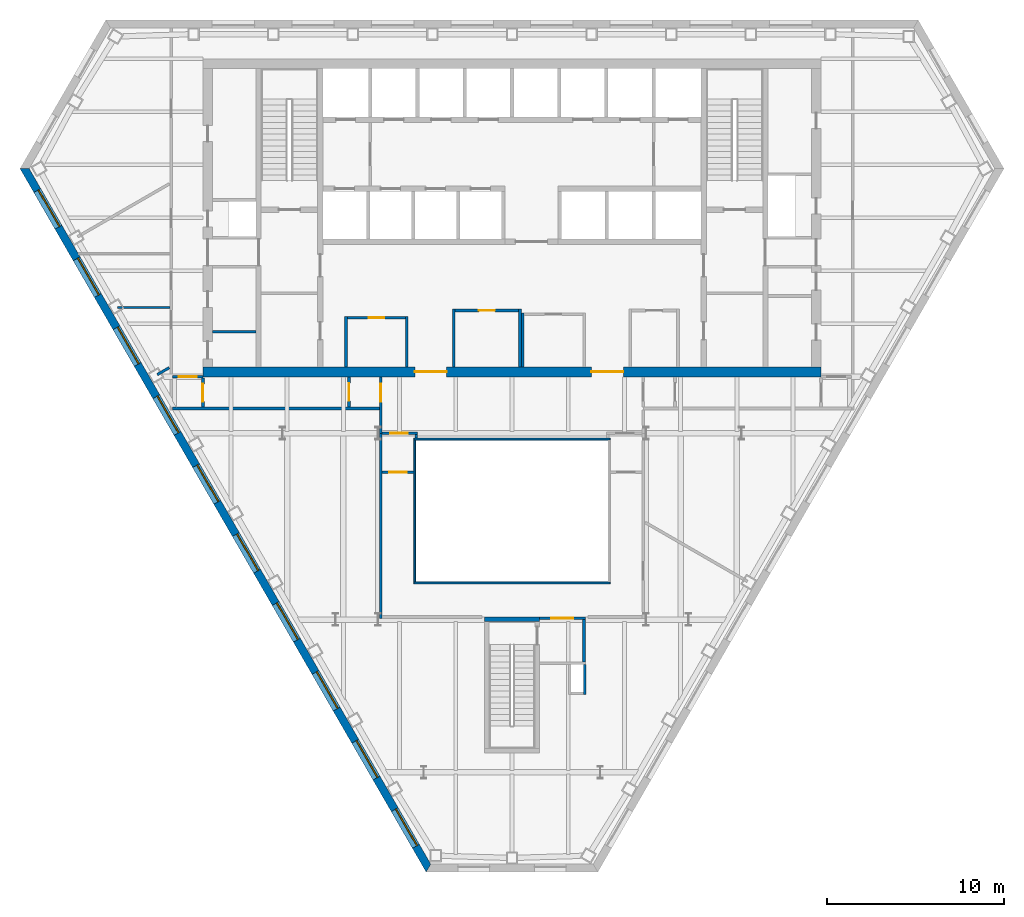
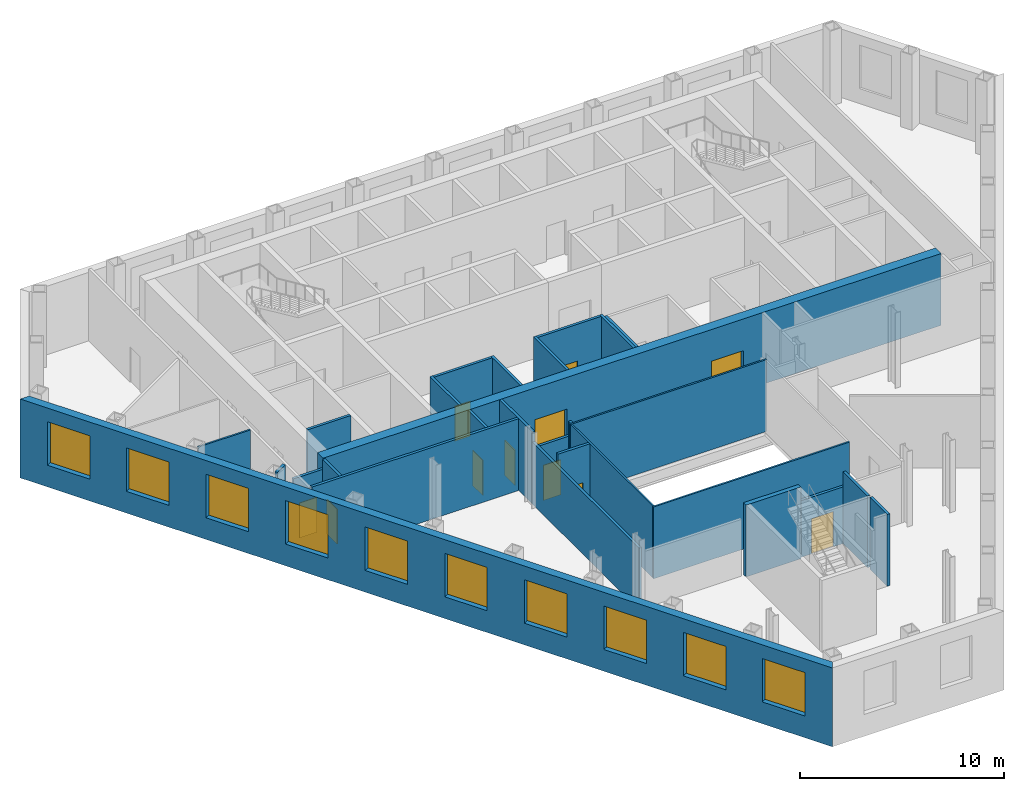
# One storey, part 4 of 11: 28 walls, 11 doors, 10 windows, 21 openings.
"""IFC4 building model written with IfcOpenShell, lengths in metres."""

from ifc_helpers import new_model, si_unit, direction, frame, frame_2d, origin, place, context, subcontext, project, spatial, polyline, rectangle, outline, extrude, material, layer, layer_set, type_object, element, fill, save


model = new_model("IFC4")

# Units and contexts
model_context = context("Model", 3, precision=1e-05, world=origin(), true_north=direction((0.0, 1.0)))
body_context = subcontext(model_context, "Body", "Model", "MODEL_VIEW")
ifc_project = project(units=[si_unit("LENGTHUNIT", "METRE"), si_unit("AREAUNIT", "SQUARE_METRE"), si_unit("VOLUMEUNIT", "CUBIC_METRE"), si_unit("PLANEANGLEUNIT", "RADIAN"), si_unit("MASSUNIT", "GRAM", prefix="KILO")], contexts=[model_context])

# Site, building, storey
site_placement = place(None, origin())
site = spatial("IfcSite", under=ifc_project, at=site_placement, CompositionType="ELEMENT")
building_placement = place(site_placement, origin())
building = spatial("IfcBuilding", under=site, at=building_placement, Name="Njiva Tower", CompositionType="ELEMENT")
storey_placement = place(building_placement, frame((0.0, 0.0, 120.3)))
storey = spatial("IfcBuildingStorey", under=building, at=storey_placement, Name="L25", CompositionType="ELEMENT", Elevation=120.3)

# Walls
ifc_material_1 = material(Name="Blockwork", Category="masonry")
ifc_layer_1 = layer(ifc_material_1, 0.15)
ifc_layer_set_1 = layer_set([ifc_layer_1], Name="Blockwork")
wall_type_1 = type_object("IfcWallType", Name="WT1 Compartment partition 150", PredefinedType="PARTITIONING", material=ifc_layer_set_1)
wall_1_placement = place(storey_placement, frame((-16.95, 2.5485, 0.0), z_axis=(0.0, 0.0, 1.0), x_axis=(1.0, 0.0, 0.0)))
element("IfcWall", 1, at=wall_1_placement, inside=storey, type_object=wall_type_1, Name="Partition strip W00", PredefinedType="PARTITIONING", context=body_context, shape_type="SweptSolid", body=[
    extrude(rectangle(XDim=2.45, YDim=0.15, at=frame_2d((1.225, 0.0))), origin(), (0.0, 0.0, 1.0), 4.3),
])
for number, where, z_axis, x_axis, name in (
    (2, (-9.4, 0.55, 0.0), (0.0, 0.0, 1.0), (0.0, 1.0, 0.0), "Parcel room wall west"),
    (3, (-5.95, 0.55, 0.0), (0.0, 0.0, 1.0), (0.0, 1.0, 0.0), "Parcel room wall east"),
):
    element("IfcWall", number, at=place(storey_placement, frame(where, z_axis=z_axis, x_axis=x_axis)), inside=storey, type_object=wall_type_1, Name=name, PredefinedType="PARTITIONING", context=body_context, shape_type="SweptSolid", body=[
        extrude(rectangle(XDim=2.875, YDim=0.15, at=frame_2d((1.4375, 0.0))), origin(), (0.0, 0.0, 1.0), 4.3),
    ])

# Wall, opening, door
wall_2_placement = place(storey_placement, frame((-9.325, 3.35, 0.0), z_axis=(0.0, 0.0, 1.0), x_axis=(1.0, 0.0, 0.0)))
wall_2 = element("IfcWall", 4, at=wall_2_placement, inside=storey, type_object=wall_type_1, Name="Parcel room wall north", PredefinedType="PARTITIONING", context=body_context, shape_type="SweptSolid", body=[
    extrude(rectangle(XDim=3.3, YDim=0.15, at=frame_2d((1.65, 0.0))), origin(), (0.0, 0.0, 1.0), 4.3),
])
opening_1_placement = place(wall_2_placement, frame((1.2, 0.0, 0.0)))
opening_1 = element("IfcOpeningElement", 5, at=opening_1_placement, cuts=wall_2, Name="Opening S08-D932", PredefinedType="OPENING", context=body_context, shape_type="SweptSolid", body=[
    extrude(rectangle(XDim=0.9, YDim=2.1, at=frame_2d((0.45, 1.05))), frame((0.0, 0.085, 0.0), z_axis=(0.0, -1.0, 0.0), x_axis=(1.0, 0.0, 0.0)), (0.0, 0.0, 1.0), 0.17),
])
ifc_material_2 = material(Name="Steel fire door, painted", Category="steel")
door_type_1 = type_object("IfcDoorType", Name="D6 Fire-rated door 900x2100", OperationType="SINGLE_SWING_LEFT", PredefinedType="DOOR", material=ifc_material_2)
door_1_placement = place(opening_1_placement, origin())
door_1 = element("IfcDoor", 6, at=door_1_placement, inside=storey, type_object=door_type_1, Name="Parcel room door", OperationType="SINGLE_SWING_RIGHT", OverallHeight=2.1, OverallWidth=0.9, PredefinedType="DOOR", context=body_context, shape_type="SweptSolid", body=[
    extrude(rectangle(XDim=0.9, YDim=2.1, at=frame_2d((0.45, 1.05))), frame((0.0, 0.025, 0.0), z_axis=(0.0, -1.0, 0.0), x_axis=(1.0, 0.0, 0.0)), (0.0, 0.0, 1.0), 0.05),
])
fill(opening_1, door_1)

# Walls
for number, where, z_axis, x_axis, name in (
    (7, (-3.3, 0.55, 0.0), (0.0, 0.0, 1.0), (0.0, 1.0, 0.0), "Security office wall west"),
    (8, (0.45, 0.55, 0.0), (0.0, 0.0, 1.0), (0.0, 1.0, 0.0), "Security office wall east"),
):
    element("IfcWall", number, at=place(storey_placement, frame(where, z_axis=z_axis, x_axis=x_axis)), inside=storey, type_object=wall_type_1, Name=name, PredefinedType="PARTITIONING", context=body_context, shape_type="SweptSolid", body=[
        extrude(rectangle(XDim=3.275, YDim=0.15, at=frame_2d((1.6375, 0.0))), origin(), (0.0, 0.0, 1.0), 4.3),
    ])

# Wall, opening, door
wall_3_placement = place(storey_placement, frame((-3.225, 3.75, 0.0), z_axis=(0.0, 0.0, 1.0), x_axis=(1.0, 0.0, 0.0)))
wall_3 = element("IfcWall", 9, at=wall_3_placement, inside=storey, type_object=wall_type_1, Name="Security office wall north", PredefinedType="PARTITIONING", context=body_context, shape_type="SweptSolid", body=[
    extrude(rectangle(XDim=3.6, YDim=0.15, at=frame_2d((1.8, 0.0))), origin(), (0.0, 0.0, 1.0), 4.3),
])
opening_2_placement = place(wall_3_placement, frame((1.35, 0.0, 0.0)))
opening_2 = element("IfcOpeningElement", 10, at=opening_2_placement, cuts=wall_3, Name="Opening S08-D933", PredefinedType="OPENING", context=body_context, shape_type="SweptSolid", body=[
    extrude(rectangle(XDim=0.9, YDim=2.1, at=frame_2d((0.45, 1.05))), frame((0.0, 0.085, 0.0), z_axis=(0.0, -1.0, 0.0), x_axis=(1.0, 0.0, 0.0)), (0.0, 0.0, 1.0), 0.17),
])
door_2_placement = place(opening_2_placement, origin())
door_2 = element("IfcDoor", 11, at=door_2_placement, inside=storey, type_object=door_type_1, Name="Security office door", OperationType="SINGLE_SWING_LEFT", OverallHeight=2.1, OverallWidth=0.9, PredefinedType="DOOR", context=body_context, shape_type="SweptSolid", body=[
    extrude(rectangle(XDim=0.9, YDim=2.1, at=frame_2d((0.45, 1.05))), frame((0.0, 0.025, 0.0), z_axis=(0.0, -1.0, 0.0), x_axis=(1.0, 0.0, 0.0)), (0.0, 0.0, 1.0), 0.05),
])
fill(opening_2, door_2)

# Wall
wall_4_placement = place(storey_placement, frame((0.6, 0.55, 0.0), z_axis=(0.0, 0.0, 1.0), x_axis=(0.0, 1.0, 0.0)))
element("IfcWall", 12, at=wall_4_placement, inside=storey, type_object=wall_type_1, Name="Concierge office wall west", PredefinedType="PARTITIONING", context=body_context, shape_type="SweptSolid", body=[
    extrude(rectangle(XDim=3.075, YDim=0.15, at=frame_2d((1.5375, 0.0))), origin(), (0.0, 0.0, 1.0), 4.3),
])

# Wall, openings, doors
ifc_material_3 = material(Name="Concrete C60/75", Category="concrete")
ifc_layer_2 = layer(ifc_material_3, 0.55)
ifc_layer_set_2 = layer_set([ifc_layer_2], Name="Concrete C60/75")
wall_type_2 = type_object("IfcWallType", Name="WT14 Core wall 550", PredefinedType="SHEAR", material=ifc_layer_set_2)
wall_5_placement = place(storey_placement, frame((-17.5, 0.275, 0.0), z_axis=(0.0, 0.0, 1.0), x_axis=(1.0, 0.0, 0.0)))
wall_5 = element("IfcWall", 13, at=wall_5_placement, inside=storey, type_object=wall_type_2, Name="Core wall south", PredefinedType="SHEAR", context=body_context, shape_type="SweptSolid", body=[
    extrude(rectangle(XDim=35.0, YDim=0.55, at=frame_2d((17.5, 0.0))), origin(), (0.0, 0.0, 1.0), 4.3),
])
opening_3_placement = place(wall_5_placement, frame((12.0, 0.0, 0.0)))
opening_3 = element("IfcOpeningElement", 14, at=opening_3_placement, cuts=wall_5, Name="Opening S08-D937", PredefinedType="OPENING", context=body_context, shape_type="SweptSolid", body=[
    extrude(rectangle(XDim=1.8, YDim=2.4, at=frame_2d((0.9, 1.2))), frame((0.0, 0.285, 0.0), z_axis=(0.0, -1.0, 0.0), x_axis=(1.0, 0.0, 0.0)), (0.0, 0.0, 1.0), 0.57),
])
opening_4_placement = place(wall_5_placement, frame((22.0, 0.0, 0.0)))
opening_4 = element("IfcOpeningElement", 15, at=opening_4_placement, cuts=wall_5, Name="Opening S08-D938", PredefinedType="OPENING", context=body_context, shape_type="SweptSolid", body=[
    extrude(rectangle(XDim=1.8, YDim=2.4, at=frame_2d((0.9, 1.2))), frame((0.0, 0.285, 0.0), z_axis=(0.0, -1.0, 0.0), x_axis=(1.0, 0.0, 0.0)), (0.0, 0.0, 1.0), 0.57),
])
ifc_material_4 = material(Name="Steel and glass door", Category="steel")
door_type_2 = type_object("IfcDoorType", Name="D3 Core entrance door 1800x2400", OperationType="DOUBLE_DOOR_SINGLE_SWING", PredefinedType="DOOR", material=ifc_material_4)
door_3_placement = place(opening_3_placement, origin())
door_3 = element("IfcDoor", 16, at=door_3_placement, inside=storey, type_object=door_type_2, Name="Core entrance door", OperationType="DOUBLE_DOOR_SINGLE_SWING", OverallHeight=2.4, OverallWidth=1.8, PredefinedType="DOOR", context=body_context, shape_type="SweptSolid", body=[
    extrude(rectangle(XDim=1.8, YDim=2.4, at=frame_2d((0.9, 1.2))), frame((0.0, 0.025, 0.0), z_axis=(0.0, -1.0, 0.0), x_axis=(1.0, 0.0, 0.0)), (0.0, 0.0, 1.0), 0.05),
])
fill(opening_3, door_3)
door_4_placement = place(opening_4_placement, origin())
door_4 = element("IfcDoor", 17, at=door_4_placement, inside=storey, type_object=door_type_2, Name="Core entrance door", OperationType="DOUBLE_DOOR_SINGLE_SWING", OverallHeight=2.4, OverallWidth=1.8, PredefinedType="DOOR", context=body_context, shape_type="SweptSolid", body=[
    extrude(rectangle(XDim=1.8, YDim=2.4, at=frame_2d((0.9, 1.2))), frame((0.0, 0.025, 0.0), z_axis=(0.0, -1.0, 0.0), x_axis=(1.0, 0.0, 0.0)), (0.0, 0.0, 1.0), 0.05),
])
fill(opening_4, door_4)

# Walls
ifc_material_5 = material(Name="Gypsum board on steel studs", Category="gypsum")
ifc_layer_3 = layer(ifc_material_5, 0.1)
ifc_layer_set_3 = layer_set([ifc_layer_3], Name="Gypsum board on steel studs")
wall_type_3 = type_object("IfcWallType", Name="WT20 Gypsum partition 100", PredefinedType="PARTITIONING", material=ifc_layer_set_3)
wall_6_placement = place(storey_placement, frame((-22.325, 3.925, 0.0), z_axis=(0.0, 0.0, 1.0), x_axis=(0.999998563634, -0.00169491282, 0.0)))
element("IfcWall", 18, at=wall_6_placement, inside=storey, type_object=wall_type_3, Name="Partition S08-P003", PredefinedType="PARTITIONING", context=body_context, shape_type="SweptSolid", body=[
    extrude(rectangle(XDim=2.95, YDim=0.1, at=frame_2d((1.475, 0.0))), origin(), (0.0, 0.0, 1.0), 4.3),
])
ifc_layer_4 = layer(ifc_material_5, 0.15)
ifc_layer_set_4 = layer_set([ifc_layer_4], Name="Gypsum board on steel studs")
wall_type_4 = type_object("IfcWallType", Name="WT21 Compartment wall 150", PredefinedType="PARTITIONING", material=ifc_layer_set_4)
wall_7_placement = place(storey_placement, frame((-20.085, 0.124, 0.0), z_axis=(0.0, 0.0, 1.0), x_axis=(0.86633556233, 0.499462404434, 0.0)))
element("IfcWall", 19, at=wall_7_placement, inside=storey, type_object=wall_type_4, Name="Partition S08-P004", PredefinedType="PARTITIONING", context=body_context, shape_type="SweptSolid", body=[
    extrude(rectangle(XDim=0.7768, YDim=0.15, at=frame_2d((0.3884, 0.0))), origin(), (0.0, 0.0, 1.0), 4.3),
])
wall_8_placement = place(storey_placement, frame((-19.225, -1.8, 0.0), z_axis=(0.0, 0.0, 1.0), x_axis=(1.0, 0.0, 0.0)))
element("IfcWall", 20, at=wall_8_placement, inside=storey, type_object=wall_type_4, Name="Partition S08-P006", PredefinedType="PARTITIONING", context=body_context, shape_type="SweptSolid", body=[
    extrude(rectangle(XDim=11.72, YDim=0.15, at=frame_2d((5.86, 0.0))), origin(), (0.0, 0.0, 1.0), 4.3),
])

# Wall, opening, door
wall_9_placement = place(storey_placement, frame((-19.225, 0.0, 0.0), z_axis=(0.0, 0.0, 1.0), x_axis=(1.0, 0.0, 0.0)))
wall_9 = element("IfcWall", 21, at=wall_9_placement, inside=storey, type_object=wall_type_4, Name="Partition S08-P007", PredefinedType="PARTITIONING", context=body_context, shape_type="SweptSolid", body=[
    extrude(rectangle(XDim=1.725, YDim=0.15, at=frame_2d((0.8625, 0.0))), origin(), (0.0, 0.0, 1.0), 3.7),
])
opening_5_placement = place(wall_9_placement, frame((0.363, 0.0, 0.0)))
opening_5 = element("IfcOpeningElement", 22, at=opening_5_placement, cuts=wall_9, Name="Opening S08-D005", PredefinedType="OPENING", context=body_context, shape_type="SweptSolid", body=[
    extrude(rectangle(XDim=1.0, YDim=2.1, at=frame_2d((0.5, 1.05))), frame((0.0, 0.085, 0.0), z_axis=(0.0, -1.0, 0.0), x_axis=(1.0, 0.0, 0.0)), (0.0, 0.0, 1.0), 0.17),
])
ifc_material_6 = material(Name="Steel fire door set", Category="steel")
door_type_3 = type_object("IfcDoorType", Name="D37 Fire door 1000x2100", OperationType="SINGLE_SWING_LEFT", PredefinedType="DOOR", material=ifc_material_6)
door_5_placement = place(opening_5_placement, origin())
door_5 = element("IfcDoor", 23, at=door_5_placement, inside=storey, type_object=door_type_3, Name="Door S08-D005", OperationType="SINGLE_SWING_LEFT", OverallHeight=2.1, OverallWidth=1.0, PredefinedType="DOOR", context=body_context, shape_type="SweptSolid", body=[
    extrude(rectangle(XDim=1.0, YDim=2.1, at=frame_2d((0.5, 1.05))), frame((0.0, 0.025, 0.0), z_axis=(0.0, -1.0, 0.0), x_axis=(1.0, 0.0, 0.0)), (0.0, 0.0, 1.0), 0.05),
])
fill(opening_5, door_5)

wall_10_placement = place(storey_placement, frame((-17.5, -1.725, 0.0), z_axis=(0.0, 0.0, 1.0), x_axis=(0.0, 1.0, 0.0)))
wall_10 = element("IfcWall", 24, at=wall_10_placement, inside=storey, type_object=wall_type_4, Name="Partition S08-P008", PredefinedType="PARTITIONING", context=body_context, shape_type="SweptSolid", body=[
    extrude(rectangle(XDim=1.65, YDim=0.15, at=frame_2d((0.825, 0.0))), origin(), (0.0, 0.0, 1.0), 4.3),
])
opening_6_placement = place(wall_10_placement, frame((0.325, 0.0, 0.0)))
opening_6 = element("IfcOpeningElement", 25, at=opening_6_placement, cuts=wall_10, Name="Opening S08-D006", PredefinedType="OPENING", context=body_context, shape_type="SweptSolid", body=[
    extrude(rectangle(XDim=1.0, YDim=2.1, at=frame_2d((0.5, 1.05))), frame((0.0, 0.085, 0.0), z_axis=(0.0, -1.0, 0.0), x_axis=(1.0, 0.0, 0.0)), (0.0, 0.0, 1.0), 0.17),
])
door_6_placement = place(opening_6_placement, origin())
door_6 = element("IfcDoor", 26, at=door_6_placement, inside=storey, type_object=door_type_3, Name="Door S08-D006", OperationType="SINGLE_SWING_LEFT", OverallHeight=2.1, OverallWidth=1.0, PredefinedType="DOOR", context=body_context, shape_type="SweptSolid", body=[
    extrude(rectangle(XDim=1.0, YDim=2.1, at=frame_2d((0.5, 1.05))), frame((0.0, 0.025, 0.0), z_axis=(0.0, -1.0, 0.0), x_axis=(1.0, 0.0, 0.0)), (0.0, 0.0, 1.0), 0.05),
])
fill(opening_6, door_6)

wall_11_placement = place(storey_placement, frame((-9.23, -1.725, 0.0), z_axis=(0.0, 0.0, 1.0), x_axis=(0.0, 1.0, 0.0)))
wall_11 = element("IfcWall", 27, at=wall_11_placement, inside=storey, type_object=wall_type_4, Name="Partition S08-P009", PredefinedType="PARTITIONING", context=body_context, shape_type="SweptSolid", body=[
    extrude(rectangle(XDim=1.725, YDim=0.15, at=frame_2d((0.8625, 0.0))), origin(), (0.0, 0.0, 1.0), 4.3),
])
opening_7_placement = place(wall_11_placement, frame((0.363, 0.0, 0.0)))
opening_7 = element("IfcOpeningElement", 28, at=opening_7_placement, cuts=wall_11, Name="Opening S08-D007", PredefinedType="OPENING", context=body_context, shape_type="SweptSolid", body=[
    extrude(rectangle(XDim=1.0, YDim=2.1, at=frame_2d((0.5, 1.05))), frame((0.0, 0.085, 0.0), z_axis=(0.0, -1.0, 0.0), x_axis=(1.0, 0.0, 0.0)), (0.0, 0.0, 1.0), 0.17),
])
door_7_placement = place(opening_7_placement, origin())
door_7 = element("IfcDoor", 29, at=door_7_placement, inside=storey, type_object=door_type_3, Name="Door S08-D007", OperationType="SINGLE_SWING_LEFT", OverallHeight=2.1, OverallWidth=1.0, PredefinedType="DOOR", context=body_context, shape_type="SweptSolid", body=[
    extrude(rectangle(XDim=1.0, YDim=2.1, at=frame_2d((0.5, 1.05))), frame((0.0, 0.025, 0.0), z_axis=(0.0, -1.0, 0.0), x_axis=(1.0, 0.0, 0.0)), (0.0, 0.0, 1.0), 0.05),
])
fill(opening_7, door_7)

# Wall
wall_12_placement = place(storey_placement, frame((-7.43, -13.675, 0.0), z_axis=(0.0, 0.0, 1.0), x_axis=(0.0, 1.0, 0.0)))
element("IfcWall", 30, at=wall_12_placement, inside=storey, type_object=wall_type_4, Name="Partition S08-P010", PredefinedType="PARTITIONING", context=body_context, shape_type="SweptSolid", body=[
    extrude(rectangle(XDim=10.475, YDim=0.15, at=frame_2d((5.2375, 0.0))), origin(), (0.0, 0.0, 1.0), 3.7),
])

# Wall, opening, door
wall_13_placement = place(storey_placement, frame((-7.43, -3.2, 0.0), z_axis=(0.0, 0.0, 1.0), x_axis=(0.0, 1.0, 0.0)))
wall_13 = element("IfcWall", 31, at=wall_13_placement, inside=storey, type_object=wall_type_4, Name="Partition S08-P010A", PredefinedType="PARTITIONING", context=body_context, shape_type="SweptSolid", body=[
    extrude(rectangle(XDim=3.2, YDim=0.15, at=frame_2d((1.6, 0.0))), origin(), (0.0, 0.0, 1.0), 4.3),
])
opening_8_placement = place(wall_13_placement, frame((1.8, 0.0, 0.0)))
opening_8 = element("IfcOpeningElement", 32, at=opening_8_placement, cuts=wall_13, Name="Opening S08-D008", PredefinedType="OPENING", context=body_context, shape_type="SweptSolid", body=[
    extrude(rectangle(XDim=1.0, YDim=2.1, at=frame_2d((0.5, 1.05))), frame((0.0, 0.085, 0.0), z_axis=(0.0, -1.0, 0.0), x_axis=(1.0, 0.0, 0.0)), (0.0, 0.0, 1.0), 0.17),
])
door_8_placement = place(opening_8_placement, origin())
door_8 = element("IfcDoor", 33, at=door_8_placement, inside=storey, type_object=door_type_3, Name="Door S08-D008", OperationType="SINGLE_SWING_LEFT", OverallHeight=2.1, OverallWidth=1.0, PredefinedType="DOOR", context=body_context, shape_type="SweptSolid", body=[
    extrude(rectangle(XDim=1.0, YDim=2.1, at=frame_2d((0.5, 1.05))), frame((0.0, 0.025, 0.0), z_axis=(0.0, -1.0, 0.0), x_axis=(1.0, 0.0, 0.0)), (0.0, 0.0, 1.0), 0.05),
])
fill(opening_8, door_8)

wall_14_placement = place(storey_placement, frame((-7.355, -5.4, 0.0), z_axis=(0.0, 0.0, 1.0), x_axis=(1.0, 0.0, 0.0)))
wall_14 = element("IfcWall", 34, at=wall_14_placement, inside=storey, type_object=wall_type_4, Name="Partition S08-P012", PredefinedType="PARTITIONING", context=body_context, shape_type="SweptSolid", body=[
    extrude(rectangle(XDim=1.805, YDim=0.15, at=frame_2d((0.9025, 0.0))), origin(), (0.0, 0.0, 1.0), 4.3),
])
opening_9_placement = place(wall_14_placement, frame((0.402, 0.0, 0.0)))
opening_9 = element("IfcOpeningElement", 35, at=opening_9_placement, cuts=wall_14, Name="Opening S08-D009", PredefinedType="OPENING", context=body_context, shape_type="SweptSolid", body=[
    extrude(rectangle(XDim=1.0, YDim=2.1, at=frame_2d((0.5, 1.05))), frame((0.0, 0.085, 0.0), z_axis=(0.0, -1.0, 0.0), x_axis=(1.0, 0.0, 0.0)), (0.0, 0.0, 1.0), 0.17),
])
door_9_placement = place(opening_9_placement, origin())
door_9 = element("IfcDoor", 36, at=door_9_placement, inside=storey, type_object=door_type_3, Name="Door S08-D009", OperationType="SINGLE_SWING_RIGHT", OverallHeight=2.1, OverallWidth=1.0, PredefinedType="DOOR", context=body_context, shape_type="SweptSolid", body=[
    extrude(rectangle(XDim=1.0, YDim=2.1, at=frame_2d((0.5, 1.05))), frame((0.0, 0.025, 0.0), z_axis=(0.0, -1.0, 0.0), x_axis=(1.0, 0.0, 0.0)), (0.0, 0.0, 1.0), 0.05),
])
fill(opening_9, door_9)

wall_15_placement = place(storey_placement, frame((-7.355, -3.2, 0.0), z_axis=(0.0, 0.0, 1.0), x_axis=(1.0, 0.0, 0.0)))
wall_15 = element("IfcWall", 37, at=wall_15_placement, inside=storey, type_object=wall_type_4, Name="Partition S08-P013", PredefinedType="PARTITIONING", context=body_context, shape_type="SweptSolid", body=[
    extrude(rectangle(XDim=2.0, YDim=0.15, at=frame_2d((1.0, 0.0))), origin(), (0.0, 0.0, 1.0), 3.39),
])
opening_10_placement = place(wall_15_placement, frame((0.462, 0.0, 0.0)))
opening_10 = element("IfcOpeningElement", 38, at=opening_10_placement, cuts=wall_15, Name="Opening S08-D010", PredefinedType="OPENING", context=body_context, shape_type="SweptSolid", body=[
    extrude(rectangle(XDim=1.0, YDim=2.1, at=frame_2d((0.5, 1.05))), frame((0.0, 0.085, 0.0), z_axis=(0.0, -1.0, 0.0), x_axis=(1.0, 0.0, 0.0)), (0.0, 0.0, 1.0), 0.17),
])
door_10_placement = place(opening_10_placement, origin())
door_10 = element("IfcDoor", 39, at=door_10_placement, inside=storey, type_object=door_type_3, Name="Door S08-D010", OperationType="SINGLE_SWING_RIGHT", OverallHeight=2.1, OverallWidth=1.0, PredefinedType="DOOR", context=body_context, shape_type="SweptSolid", body=[
    extrude(rectangle(XDim=1.0, YDim=2.1, at=frame_2d((0.5, 1.05))), frame((0.0, 0.025, 0.0), z_axis=(0.0, -1.0, 0.0), x_axis=(1.0, 0.0, 0.0)), (0.0, 0.0, 1.0), 0.05),
])
fill(opening_10, door_10)

# Walls
wall_16_placement = place(storey_placement, frame((-5.43, -3.48, 0.0), z_axis=(0.0, 0.0, 1.0), x_axis=(0.0, 1.0, 0.0)))
element("IfcWall", 40, at=wall_16_placement, inside=storey, type_object=wall_type_4, Name="Partition S08-P014", PredefinedType="PARTITIONING", context=body_context, shape_type="SweptSolid", body=[
    extrude(rectangle(XDim=0.205, YDim=0.15, at=frame_2d((0.1025, 0.0))), origin(), (0.0, 0.0, 1.0), 4.3),
])
ifc_layer_5 = layer(ifc_material_1, 0.15)
ifc_layer_set_5 = layer_set([ifc_layer_5], Name="Blockwork")
wall_type_5 = type_object("IfcWallType", Name="WT4 Stair partition 150", PredefinedType="PARTITIONING", material=ifc_layer_set_5)
wall_17_placement = place(storey_placement, frame((4.075, -16.15, 0.0), z_axis=(0.0, 0.0, 1.0), x_axis=(0.0, 1.0, 0.0)))
element("IfcWall", 41, at=wall_17_placement, inside=storey, type_object=wall_type_5, Name="Stair C vestibule wall east", PredefinedType="PARTITIONING", context=body_context, shape_type="SweptSolid", body=[
    extrude(rectangle(XDim=2.4, YDim=0.15, at=frame_2d((1.2, 0.0))), origin(), (0.0, 0.0, 1.0), 4.3),
])

# Wall, opening, door
wall_18_placement = place(storey_placement, frame((1.55, -13.675, 0.0), z_axis=(0.0, 0.0, 1.0), x_axis=(1.0, 0.0, 0.0)))
wall_18 = element("IfcWall", 42, at=wall_18_placement, inside=storey, type_object=wall_type_5, Name="Stair C vestibule wall north", PredefinedType="PARTITIONING", context=body_context, shape_type="SweptSolid", body=[
    extrude(rectangle(XDim=2.6, YDim=0.15, at=frame_2d((1.3, 0.0))), origin(), (0.0, 0.0, 1.0), 3.39),
])
opening_11_placement = place(wall_18_placement, frame((0.675, 0.0, 0.0)))
opening_11 = element("IfcOpeningElement", 43, at=opening_11_placement, cuts=wall_18, Name="Opening S08-D940", PredefinedType="OPENING", context=body_context, shape_type="SweptSolid", body=[
    extrude(rectangle(XDim=1.25, YDim=2.1, at=frame_2d((0.625, 1.05))), frame((0.0, 0.085, 0.0), z_axis=(0.0, -1.0, 0.0), x_axis=(1.0, 0.0, 0.0)), (0.0, 0.0, 1.0), 0.17),
])
ifc_material_7 = material(Name="Glazed steel fire door", Category="steel")
door_type_4 = type_object("IfcDoorType", Name="D8 Vestibule corridor door 1250x2100 glazed", OperationType="SINGLE_SWING_LEFT", PredefinedType="DOOR", material=ifc_material_7)
door_11_placement = place(opening_11_placement, origin())
door_11 = element("IfcDoor", 44, at=door_11_placement, inside=storey, type_object=door_type_4, Name="Stair vestibule corridor door", OperationType="SINGLE_SWING_RIGHT", OverallHeight=2.1, OverallWidth=1.25, PredefinedType="DOOR", context=body_context, shape_type="SweptSolid", body=[
    extrude(rectangle(XDim=1.25, YDim=2.1, at=frame_2d((0.625, 1.05))), frame((0.0, 0.025, 0.0), z_axis=(0.0, -1.0, 0.0), x_axis=(1.0, 0.0, 0.0)), (0.0, 0.0, 1.0), 0.05),
])
fill(opening_11, door_11)

# Walls
wall_19_placement = place(storey_placement, frame((4.125, -18.0, 0.0), z_axis=(0.0, 0.0, 1.0), x_axis=(0.0, 1.0, 0.0)))
element("IfcWall", 45, at=wall_19_placement, inside=storey, type_object=wall_type_5, Name="Stair C pressurisation shaft wall", PredefinedType="PARTITIONING", context=body_context, shape_type="SweptSolid", body=[
    extrude(rectangle(XDim=1.7, YDim=0.15, at=frame_2d((0.85, 0.0))), origin(), (0.0, 0.0, 1.0), 4.3),
])
ifc_material_8 = material(Name="Concrete C40/50", Category="concrete")
ifc_layer_6 = layer(ifc_material_8, 0.25)
ifc_layer_set_6 = layer_set([ifc_layer_6], Name="Concrete C40/50")
wall_type_6 = type_object("IfcWallType", Name="WT9 Stair enclosure wall 250", PredefinedType="SHEAR", material=ifc_layer_set_6)
wall_20_placement = place(storey_placement, frame((-1.55, -13.725, 0.0), z_axis=(0.0, 0.0, 1.0), x_axis=(1.0, 0.0, 0.0)))
element("IfcWall", 46, at=wall_20_placement, inside=storey, type_object=wall_type_6, Name="Stair C wall north", PredefinedType="SHEAR", context=body_context, shape_type="SweptSolid", body=[
    extrude(rectangle(XDim=3.1, YDim=0.25, at=frame_2d((1.55, 0.0))), origin(), (0.0, 0.0, 1.0), 4.3),
])

# Wall, openings, windows
ifc_material_9 = material(Name="Brick masonry", Category="masonry")
ifc_layer_7 = layer(ifc_material_9, 0.45)
ifc_layer_set_7 = layer_set([ifc_layer_7], Name="Brick masonry")
wall_type_7 = type_object("IfcWallType", Name="WT90 Brick pier and spandrel wall 450", PredefinedType="SOLIDWALL", material=ifc_layer_set_7)
wall_21_placement = place(storey_placement, frame((-27.5952, 11.7822, -0.4), z_axis=(0.0, 0.0, 1.0), x_axis=(0.500000141277, -0.866025322218, 0.0)))
wall_21 = element("IfcWall", 47, at=wall_21_placement, inside=storey, type_object=wall_type_7, Name="Facade wall SW", PredefinedType="SOLIDWALL", context=body_context, shape_type="SweptSolid", body=[
    extrude(outline(polyline([(-0.1299, -0.225), (45.8601, -0.225), (45.6003, 0.225), (0.1299, 0.225), (-0.1299, -0.225)])), origin(), (0.0, 0.0, 1.0), 4.72),
])
opening_12_placement = place(wall_21_placement, frame((1.4237, 0.0, 1.3)))
opening_12 = element("IfcOpeningElement", 48, at=opening_12_placement, cuts=wall_21, Name="Opening S08-W11", PredefinedType="OPENING", context=body_context, shape_type="SweptSolid", body=[
    extrude(rectangle(XDim=2.4, YDim=2.6, at=frame_2d((1.2, 1.3))), frame((0.0, 0.235, 0.0), z_axis=(0.0, -1.0, 0.0), x_axis=(1.0, 0.0, 0.0)), (0.0, 0.0, 1.0), 0.47),
])
opening_13_placement = place(wall_21_placement, frame((5.8919, 0.0, 1.3)))
opening_13 = element("IfcOpeningElement", 49, at=opening_13_placement, cuts=wall_21, Name="Opening S08-W12", PredefinedType="OPENING", context=body_context, shape_type="SweptSolid", body=[
    extrude(rectangle(XDim=2.4, YDim=2.6, at=frame_2d((1.2, 1.3))), frame((0.0, 0.235, 0.0), z_axis=(0.0, -1.0, 0.0), x_axis=(1.0, 0.0, 0.0)), (0.0, 0.0, 1.0), 0.47),
])
opening_14_placement = place(wall_21_placement, frame((10.3985, 0.0, 1.3)))
opening_14 = element("IfcOpeningElement", 50, at=opening_14_placement, cuts=wall_21, Name="Opening S08-W13", PredefinedType="OPENING", context=body_context, shape_type="SweptSolid", body=[
    extrude(rectangle(XDim=2.4, YDim=2.6, at=frame_2d((1.2, 1.3))), frame((0.0, 0.235, 0.0), z_axis=(0.0, -1.0, 0.0), x_axis=(1.0, 0.0, 0.0)), (0.0, 0.0, 1.0), 0.47),
])
opening_15_placement = place(wall_21_placement, frame((14.9052, 0.0, 1.3)))
opening_15 = element("IfcOpeningElement", 51, at=opening_15_placement, cuts=wall_21, Name="Opening S08-W14", PredefinedType="OPENING", context=body_context, shape_type="SweptSolid", body=[
    extrude(rectangle(XDim=2.4, YDim=2.6, at=frame_2d((1.2, 1.3))), frame((0.0, 0.235, 0.0), z_axis=(0.0, -1.0, 0.0), x_axis=(1.0, 0.0, 0.0)), (0.0, 0.0, 1.0), 0.47),
])
opening_16_placement = place(wall_21_placement, frame((19.4118, 0.0, 1.3)))
opening_16 = element("IfcOpeningElement", 52, at=opening_16_placement, cuts=wall_21, Name="Opening S08-W15", PredefinedType="OPENING", context=body_context, shape_type="SweptSolid", body=[
    extrude(rectangle(XDim=2.4, YDim=2.6, at=frame_2d((1.2, 1.3))), frame((0.0, 0.235, 0.0), z_axis=(0.0, -1.0, 0.0), x_axis=(1.0, 0.0, 0.0)), (0.0, 0.0, 1.0), 0.47),
])
opening_17_placement = place(wall_21_placement, frame((23.9184, 0.0, 1.3)))
opening_17 = element("IfcOpeningElement", 53, at=opening_17_placement, cuts=wall_21, Name="Opening S08-W16", PredefinedType="OPENING", context=body_context, shape_type="SweptSolid", body=[
    extrude(rectangle(XDim=2.4, YDim=2.6, at=frame_2d((1.2, 1.3))), frame((0.0, 0.235, 0.0), z_axis=(0.0, -1.0, 0.0), x_axis=(1.0, 0.0, 0.0)), (0.0, 0.0, 1.0), 0.47),
])
opening_18_placement = place(wall_21_placement, frame((28.425, 0.0, 1.3)))
opening_18 = element("IfcOpeningElement", 54, at=opening_18_placement, cuts=wall_21, Name="Opening S08-W17", PredefinedType="OPENING", context=body_context, shape_type="SweptSolid", body=[
    extrude(rectangle(XDim=2.4, YDim=2.6, at=frame_2d((1.2, 1.3))), frame((0.0, 0.235, 0.0), z_axis=(0.0, -1.0, 0.0), x_axis=(1.0, 0.0, 0.0)), (0.0, 0.0, 1.0), 0.47),
])
opening_19_placement = place(wall_21_placement, frame((32.9316, 0.0, 1.3)))
opening_19 = element("IfcOpeningElement", 55, at=opening_19_placement, cuts=wall_21, Name="Opening S08-W18", PredefinedType="OPENING", context=body_context, shape_type="SweptSolid", body=[
    extrude(rectangle(XDim=2.4, YDim=2.6, at=frame_2d((1.2, 1.3))), frame((0.0, 0.235, 0.0), z_axis=(0.0, -1.0, 0.0), x_axis=(1.0, 0.0, 0.0)), (0.0, 0.0, 1.0), 0.47),
])
opening_20_placement = place(wall_21_placement, frame((37.4383, 0.0, 1.3)))
opening_20 = element("IfcOpeningElement", 56, at=opening_20_placement, cuts=wall_21, Name="Opening S08-W19", PredefinedType="OPENING", context=body_context, shape_type="SweptSolid", body=[
    extrude(rectangle(XDim=2.4, YDim=2.6, at=frame_2d((1.2, 1.3))), frame((0.0, 0.235, 0.0), z_axis=(0.0, -1.0, 0.0), x_axis=(1.0, 0.0, 0.0)), (0.0, 0.0, 1.0), 0.47),
])
opening_21_placement = place(wall_21_placement, frame((41.9065, 0.0, 1.3)))
opening_21 = element("IfcOpeningElement", 57, at=opening_21_placement, cuts=wall_21, Name="Opening S08-W20", PredefinedType="OPENING", context=body_context, shape_type="SweptSolid", body=[
    extrude(rectangle(XDim=2.4, YDim=2.6, at=frame_2d((1.2, 1.3))), frame((0.0, 0.235, 0.0), z_axis=(0.0, -1.0, 0.0), x_axis=(1.0, 0.0, 0.0)), (0.0, 0.0, 1.0), 0.47),
])
ifc_material_10 = material(Name="Clear glazing in aluminium frame", Category="aluminium")
window_type = type_object("IfcWindowType", Name="W92 Deep-set window 2400x2600", PartitioningType="SINGLE_PANEL", PredefinedType="WINDOW", material=ifc_material_10)
window_1_placement = place(opening_12_placement, origin())
window_1 = element("IfcWindow", 58, at=window_1_placement, inside=storey, type_object=window_type, Name="Window", OverallHeight=2.6, OverallWidth=2.4, PartitioningType="SINGLE_PANEL", PredefinedType="WINDOW", context=body_context, shape_type="SweptSolid", body=[
    extrude(rectangle(XDim=2.4, YDim=2.6, at=frame_2d((1.2, 1.3))), frame((0.0, 0.105, 0.0), z_axis=(0.0, -1.0, 0.0), x_axis=(1.0, 0.0, 0.0)), (0.0, 0.0, 1.0), 0.06),
])
fill(opening_12, window_1)
window_2_placement = place(opening_13_placement, origin())
window_2 = element("IfcWindow", 59, at=window_2_placement, inside=storey, type_object=window_type, Name="Window", OverallHeight=2.6, OverallWidth=2.4, PartitioningType="SINGLE_PANEL", PredefinedType="WINDOW", context=body_context, shape_type="SweptSolid", body=[
    extrude(rectangle(XDim=2.4, YDim=2.6, at=frame_2d((1.2, 1.3))), frame((0.0, 0.105, 0.0), z_axis=(0.0, -1.0, 0.0), x_axis=(1.0, 0.0, 0.0)), (0.0, 0.0, 1.0), 0.06),
])
fill(opening_13, window_2)
window_3_placement = place(opening_14_placement, origin())
window_3 = element("IfcWindow", 60, at=window_3_placement, inside=storey, type_object=window_type, Name="Window", OverallHeight=2.6, OverallWidth=2.4, PartitioningType="SINGLE_PANEL", PredefinedType="WINDOW", context=body_context, shape_type="SweptSolid", body=[
    extrude(rectangle(XDim=2.4, YDim=2.6, at=frame_2d((1.2, 1.3))), frame((0.0, 0.105, 0.0), z_axis=(0.0, -1.0, 0.0), x_axis=(1.0, 0.0, 0.0)), (0.0, 0.0, 1.0), 0.06),
])
fill(opening_14, window_3)
window_4_placement = place(opening_15_placement, origin())
window_4 = element("IfcWindow", 61, at=window_4_placement, inside=storey, type_object=window_type, Name="Window", OverallHeight=2.6, OverallWidth=2.4, PartitioningType="SINGLE_PANEL", PredefinedType="WINDOW", context=body_context, shape_type="SweptSolid", body=[
    extrude(rectangle(XDim=2.4, YDim=2.6, at=frame_2d((1.2, 1.3))), frame((0.0, 0.105, 0.0), z_axis=(0.0, -1.0, 0.0), x_axis=(1.0, 0.0, 0.0)), (0.0, 0.0, 1.0), 0.06),
])
fill(opening_15, window_4)
window_5_placement = place(opening_16_placement, origin())
window_5 = element("IfcWindow", 62, at=window_5_placement, inside=storey, type_object=window_type, Name="Window", OverallHeight=2.6, OverallWidth=2.4, PartitioningType="SINGLE_PANEL", PredefinedType="WINDOW", context=body_context, shape_type="SweptSolid", body=[
    extrude(rectangle(XDim=2.4, YDim=2.6, at=frame_2d((1.2, 1.3))), frame((0.0, 0.105, 0.0), z_axis=(0.0, -1.0, 0.0), x_axis=(1.0, 0.0, 0.0)), (0.0, 0.0, 1.0), 0.06),
])
fill(opening_16, window_5)
window_6_placement = place(opening_17_placement, origin())
window_6 = element("IfcWindow", 63, at=window_6_placement, inside=storey, type_object=window_type, Name="Window", OverallHeight=2.6, OverallWidth=2.4, PartitioningType="SINGLE_PANEL", PredefinedType="WINDOW", context=body_context, shape_type="SweptSolid", body=[
    extrude(rectangle(XDim=2.4, YDim=2.6, at=frame_2d((1.2, 1.3))), frame((0.0, 0.105, 0.0), z_axis=(0.0, -1.0, 0.0), x_axis=(1.0, 0.0, 0.0)), (0.0, 0.0, 1.0), 0.06),
])
fill(opening_17, window_6)
window_7_placement = place(opening_18_placement, origin())
window_7 = element("IfcWindow", 64, at=window_7_placement, inside=storey, type_object=window_type, Name="Window", OverallHeight=2.6, OverallWidth=2.4, PartitioningType="SINGLE_PANEL", PredefinedType="WINDOW", context=body_context, shape_type="SweptSolid", body=[
    extrude(rectangle(XDim=2.4, YDim=2.6, at=frame_2d((1.2, 1.3))), frame((0.0, 0.105, 0.0), z_axis=(0.0, -1.0, 0.0), x_axis=(1.0, 0.0, 0.0)), (0.0, 0.0, 1.0), 0.06),
])
fill(opening_18, window_7)
window_8_placement = place(opening_19_placement, origin())
window_8 = element("IfcWindow", 65, at=window_8_placement, inside=storey, type_object=window_type, Name="Window", OverallHeight=2.6, OverallWidth=2.4, PartitioningType="SINGLE_PANEL", PredefinedType="WINDOW", context=body_context, shape_type="SweptSolid", body=[
    extrude(rectangle(XDim=2.4, YDim=2.6, at=frame_2d((1.2, 1.3))), frame((0.0, 0.105, 0.0), z_axis=(0.0, -1.0, 0.0), x_axis=(1.0, 0.0, 0.0)), (0.0, 0.0, 1.0), 0.06),
])
fill(opening_19, window_8)
window_9_placement = place(opening_20_placement, origin())
window_9 = element("IfcWindow", 66, at=window_9_placement, inside=storey, type_object=window_type, Name="Window", OverallHeight=2.6, OverallWidth=2.4, PartitioningType="SINGLE_PANEL", PredefinedType="WINDOW", context=body_context, shape_type="SweptSolid", body=[
    extrude(rectangle(XDim=2.4, YDim=2.6, at=frame_2d((1.2, 1.3))), frame((0.0, 0.105, 0.0), z_axis=(0.0, -1.0, 0.0), x_axis=(1.0, 0.0, 0.0)), (0.0, 0.0, 1.0), 0.06),
])
fill(opening_20, window_9)
window_10_placement = place(opening_21_placement, origin())
window_10 = element("IfcWindow", 67, at=window_10_placement, inside=storey, type_object=window_type, Name="Window", OverallHeight=2.6, OverallWidth=2.4, PartitioningType="SINGLE_PANEL", PredefinedType="WINDOW", context=body_context, shape_type="SweptSolid", body=[
    extrude(rectangle(XDim=2.4, YDim=2.6, at=frame_2d((1.2, 1.3))), frame((0.0, 0.105, 0.0), z_axis=(0.0, -1.0, 0.0), x_axis=(1.0, 0.0, 0.0)), (0.0, 0.0, 1.0), 0.06),
])
fill(opening_21, window_10)

# Walls
ifc_material_11 = material(Name="Fire-resisting glazing EI 90", Category="glass")
ifc_layer_8 = layer(ifc_material_11, 0.1)
ifc_layer_set_8 = layer_set([ifc_layer_8], Name="Fire-resisting glazing EI 90")
wall_type_8 = type_object("IfcWallType", Name="WT95 Fire-resisting glazed screen EI 90", PredefinedType="PARTITIONING", material=ifc_layer_set_8)
for number, where, z_axis, x_axis, name in (
    (68, (-5.55, -11.67, 0.0), (0.0, 0.0, 1.0), (1.0, 0.0, 0.0), "Atrium fire screen south"),
    (69, (5.55, -3.53, 0.0), (0.0, 0.0, 1.0), (-1.0, 0.0, 0.0), "Atrium fire screen north"),
):
    element("IfcWall", number, at=place(storey_placement, frame(where, z_axis=z_axis, x_axis=x_axis)), inside=storey, type_object=wall_type_8, Name=name, PredefinedType="PARTITIONING", context=body_context, shape_type="SweptSolid", body=[
        extrude(rectangle(XDim=11.1, YDim=0.1, at=frame_2d((5.55, 0.0))), origin(), (0.0, 0.0, 1.0), 4.3),
    ])
wall_22_placement = place(storey_placement, frame((-5.5, -3.58, 0.0), z_axis=(0.0, 0.0, 1.0), x_axis=(0.0, -1.0, 0.0)))
element("IfcWall", 70, at=wall_22_placement, inside=storey, type_object=wall_type_8, Name="Atrium fire screen west", PredefinedType="PARTITIONING", context=body_context, shape_type="SweptSolid", body=[
    extrude(rectangle(XDim=8.04, YDim=0.1, at=frame_2d((4.02, 0.0))), origin(), (0.0, 0.0, 1.0), 4.3),
])

save(model, "model.ifc")
